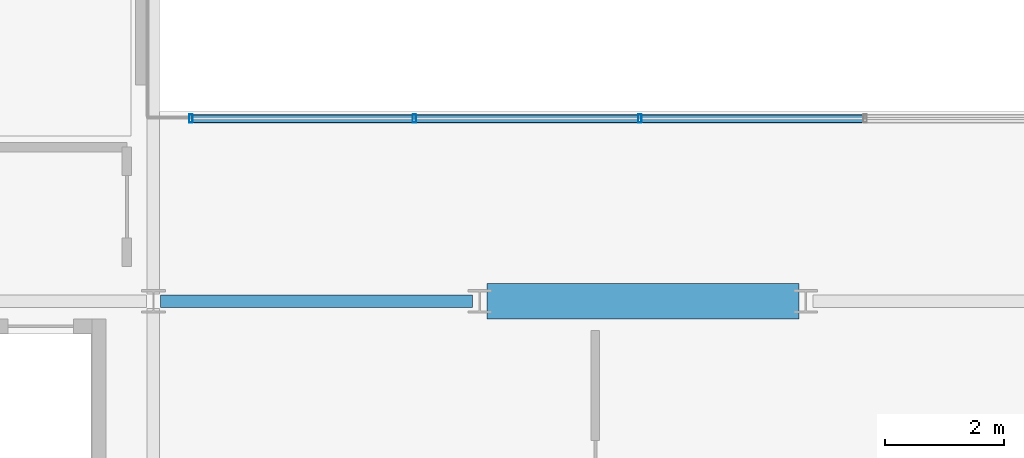
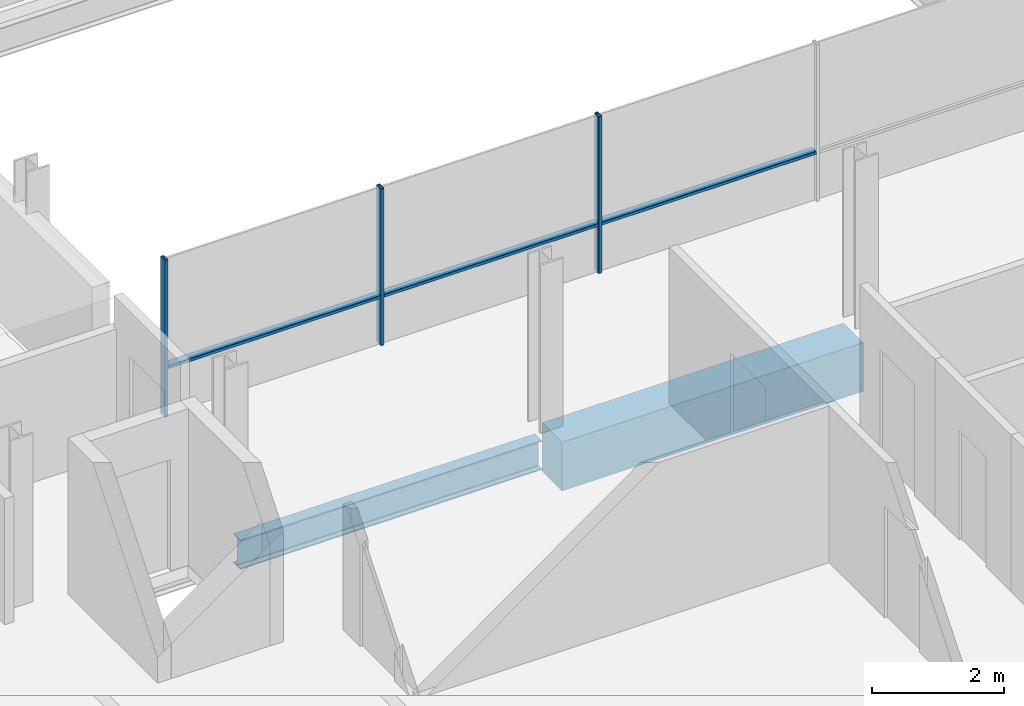
# One storey, part 5 of 35: 6 members, 2 beams, 1 element without a shape of its own.
"""IFC4 building model written with IfcOpenShell, lengths in metres."""

from ifc_helpers import new_model, si_unit, direction, frame, origin, origin_2d, place, context, subcontext, project, spatial, rectangle, hollow_rectangle, i_section, extrude, material, layer, layer_set, material_profile, profile_set, type_object, element, aggregate, save


model = new_model("IFC4")

# Units and contexts
model_context = context("Model", 3, precision=1e-05, world=origin(), true_north=direction((0.0, 1.0)))
body_context = subcontext(model_context, "Body", "Model", "MODEL_VIEW")
ifc_project = project(units=[si_unit("LENGTHUNIT", "METRE"), si_unit("AREAUNIT", "SQUARE_METRE"), si_unit("VOLUMEUNIT", "CUBIC_METRE"), si_unit("PLANEANGLEUNIT", "RADIAN"), si_unit("MASSUNIT", "GRAM", prefix="KILO")], contexts=[model_context])

# Site, building, storey
site_placement = place(None, origin())
site = spatial("IfcSite", under=ifc_project, at=site_placement, CompositionType="ELEMENT")
building_placement = place(site_placement, origin())
building = spatial("IfcBuilding", under=site, at=building_placement, Name="Brevholm Reach", CompositionType="ELEMENT")
storey_placement = place(building_placement, frame((0.0, 0.0, 183.199951171875)))
storey = spatial("IfcBuildingStorey", under=building, at=storey_placement, Name="L55", CompositionType="ELEMENT", Elevation=183.199951171875)

# Beams
ifc_material_1 = material(Name="Concrete C50/60", Category="concrete")
ifc_material_profile_1 = material_profile(ifc_material_1, rectangle(XDim=0.60009765625, YDim=0.89990234375, at=origin_2d()), Name="RC 600x900")
ifc_profile_set_1 = profile_set([ifc_material_profile_1], Name="Concrete C50/60")
beam_type_1 = type_object("IfcBeamType", Name="BM-CB600", PredefinedType="LINTEL", material=ifc_profile_set_1)
beam_1_placement = place(storey_placement, frame((27.3701171875, 10.0, -0.659912109375), z_axis=(1.0, 0.0, 0.0), x_axis=(0.0, 1.0, 0.0)))
element("IfcBeam", 1, at=beam_1_placement, inside=storey, type_object=beam_type_1, Name="L55 CB-02 Framing Beam", PredefinedType="LINTEL", context=body_context, shape_type="SweptSolid", body=[
    extrude(rectangle(XDim=0.60009765625, YDim=0.89990234375, at=origin_2d()), origin(), (0.0, 0.0, 1.0), 5.259765625),
])
ifc_material_2 = material(Name="Structural Steel S355J2", Category="steel")
ifc_material_profile_2 = material_profile(ifc_material_2, i_section(OverallWidth=0.210693359375, OverallDepth=0.53955078125, WebThickness=0.01171875, FlangeThickness=0.018798828125, FilletRadius=0.0126953125, at=origin_2d()), Name="UKB 533x210x109")
ifc_profile_set_2 = profile_set([ifc_material_profile_2], Name="Structural Steel S355J2")
beam_type_2 = type_object("IfcBeamType", Name="BM-SP539", PredefinedType="SPANDREL", material=ifc_profile_set_2)
beam_2_placement = place(storey_placement, frame((21.8701171875, 10.0, -0.479736328125), z_axis=(1.0, 0.0, 0.0), x_axis=(0.0, 1.0, 0.0)))
element("IfcBeam", 2, at=beam_2_placement, inside=storey, type_object=beam_type_2, Name="L55 SP-01B Framing Beam", PredefinedType="SPANDREL", context=body_context, shape_type="SweptSolid", body=[
    extrude(i_section(OverallWidth=0.210693359375, OverallDepth=0.53955078125, WebThickness=0.01171875, FlangeThickness=0.018798828125, FilletRadius=0.0126953125, at=origin_2d()), origin(), (0.0, 0.0, 1.0), 5.259765625),
])

# Curtain wall, members
ifc_material_3 = material(Name="Dark Anodised Aluminium 6063-T6 and Solar-Control Glass", Category="aluminium")
ifc_layer = layer(ifc_material_3, 0.139892578125)
ifc_layer_set = layer_set([ifc_layer], Name="Dark Anodised Aluminium 6063-T6 and Solar-Control Glass")
curtain_wall_type = type_object("IfcCurtainWallType", Name="CW-02", PredefinedType="NOTDEFINED", material=ifc_layer_set)
curtain_wall_placement = place(storey_placement, origin())
curtain_wall = element("IfcCurtainWall", 3, at=curtain_wall_placement, inside=storey, type_object=curtain_wall_type, Name="L55 Curtain Wall CW-02", PredefinedType="NOTDEFINED")
ifc_material_4 = material(Name="Dark Anodised Aluminium 6063-T6", Category="aluminium")
ifc_material_profile_3 = material_profile(ifc_material_4, hollow_rectangle(XDim=0.06005859375, YDim=0.139892578125, WallThickness=0.0048828125, InnerFilletRadius=0.0048828125, OuterFilletRadius=0.010009765625, at=origin_2d()), Name="RHS 140x60x5")
ifc_profile_set_3 = profile_set([ifc_material_profile_3], Name="Dark Anodised Aluminium 6063-T6")
member_type_1 = type_object("IfcMemberType", Name="CWM-140", PredefinedType="MULLION", material=ifc_profile_set_3)
member_1_placement = place(storey_placement, frame((22.3798828125, 13.080078125, 0.0), z_axis=(0.0, 0.0, 1.0), x_axis=(1.0, 0.0, 0.0)))
member_1 = element("IfcMember", 4, at=member_1_placement, type_object=member_type_1, Name="CM-140 Mullion 1", PredefinedType="MULLION", context=body_context, shape_type="SweptSolid", body=[
    extrude(hollow_rectangle(XDim=0.06005859375, YDim=0.139892578125, WallThickness=0.0048828125, InnerFilletRadius=0.0048828125, OuterFilletRadius=0.010009765625, at=origin_2d()), origin(), (0.0, 0.0, 1.0), 2.89013671875),
])
member_2_placement = place(storey_placement, frame((26.14990234375, 13.080078125, 0.0), z_axis=(0.0, 0.0, 1.0), x_axis=(1.0, 0.0, 0.0)))
member_2 = element("IfcMember", 5, at=member_2_placement, type_object=member_type_1, Name="CM-140 Mullion 2", PredefinedType="MULLION", context=body_context, shape_type="SweptSolid", body=[
    extrude(hollow_rectangle(XDim=0.06005859375, YDim=0.139892578125, WallThickness=0.0048828125, InnerFilletRadius=0.0048828125, OuterFilletRadius=0.010009765625, at=origin_2d()), origin(), (0.0, 0.0, 1.0), 2.89013671875),
])
member_3_placement = place(storey_placement, frame((29.949951171875, 13.080078125, 0.0), z_axis=(0.0, 0.0, 1.0), x_axis=(1.0, 0.0, 0.0)))
member_3 = element("IfcMember", 6, at=member_3_placement, type_object=member_type_1, Name="CM-140 Mullion 3", PredefinedType="MULLION", context=body_context, shape_type="SweptSolid", body=[
    extrude(hollow_rectangle(XDim=0.06005859375, YDim=0.139892578125, WallThickness=0.0048828125, InnerFilletRadius=0.0048828125, OuterFilletRadius=0.010009765625, at=origin_2d()), origin(), (0.0, 0.0, 1.0), 2.89013671875),
])
ifc_material_5 = material(Name="Dark Anodised Aluminium 6063-T6", Category="aluminium")
ifc_material_profile_4 = material_profile(ifc_material_5, hollow_rectangle(XDim=0.06005859375, YDim=0.139892578125, WallThickness=0.0048828125, InnerFilletRadius=0.0048828125, OuterFilletRadius=0.010009765625, at=origin_2d()), Name="RHS 140x60x5")
ifc_profile_set_4 = profile_set([ifc_material_profile_4], Name="Dark Anodised Aluminium 6063-T6")
member_type_2 = type_object("IfcMemberType", Name="CWT-140", PredefinedType="NOTDEFINED", material=ifc_profile_set_4)
member_4_placement = place(storey_placement, frame((22.409912109375, 13.080078125, 0.900146484375), z_axis=(1.0, 0.0, 0.0), x_axis=(0.0, 0.0, 1.0)))
member_4 = element("IfcMember", 7, at=member_4_placement, type_object=member_type_2, Name="CT-140 Transom 1.1", ObjectType="TRANSOM", PredefinedType="USERDEFINED", context=body_context, shape_type="SweptSolid", body=[
    extrude(hollow_rectangle(XDim=0.06005859375, YDim=0.139892578125, WallThickness=0.0048828125, InnerFilletRadius=0.0048828125, OuterFilletRadius=0.010009765625, at=origin_2d()), origin(), (0.0, 0.0, 1.0), 3.710205078125),
])
member_5_placement = place(storey_placement, frame((26.179931640625, 13.080078125, 0.900146484375), z_axis=(1.0, 0.0, 0.0), x_axis=(0.0, 0.0, 1.0)))
member_5 = element("IfcMember", 8, at=member_5_placement, type_object=member_type_2, Name="CT-140 Transom 2.1", ObjectType="TRANSOM", PredefinedType="USERDEFINED", context=body_context, shape_type="SweptSolid", body=[
    extrude(hollow_rectangle(XDim=0.06005859375, YDim=0.139892578125, WallThickness=0.0048828125, InnerFilletRadius=0.0048828125, OuterFilletRadius=0.010009765625, at=origin_2d()), origin(), (0.0, 0.0, 1.0), 3.739990234375),
])
member_6_placement = place(storey_placement, frame((29.97998046875, 13.080078125, 0.900146484375), z_axis=(1.0, 0.0, 0.0), x_axis=(0.0, 0.0, 1.0)))
member_6 = element("IfcMember", 9, at=member_6_placement, type_object=member_type_2, Name="CT-140 Transom 3.1", ObjectType="TRANSOM", PredefinedType="USERDEFINED", context=body_context, shape_type="SweptSolid", body=[
    extrude(hollow_rectangle(XDim=0.06005859375, YDim=0.139892578125, WallThickness=0.0048828125, InnerFilletRadius=0.0048828125, OuterFilletRadius=0.010009765625, at=origin_2d()), origin(), (0.0, 0.0, 1.0), 3.739990234375),
])
aggregate(curtain_wall, [member_1, member_2, member_3, member_4, member_5, member_6])

save(model, "model.ifc")
